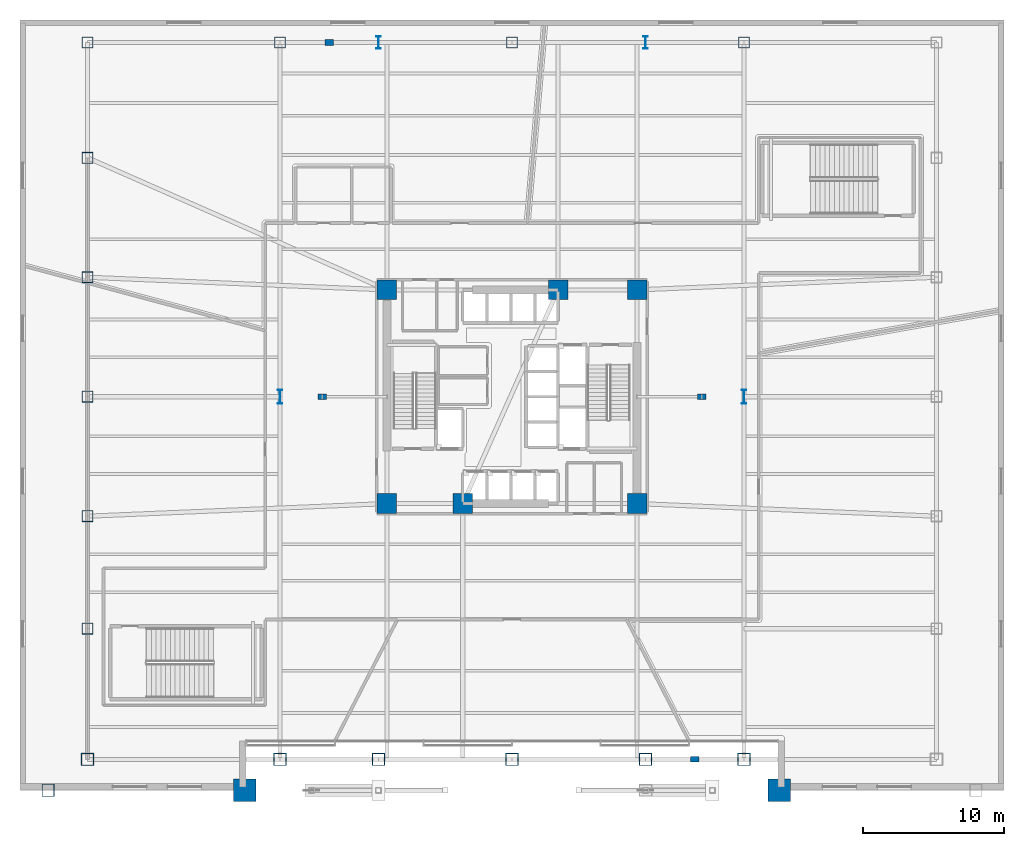
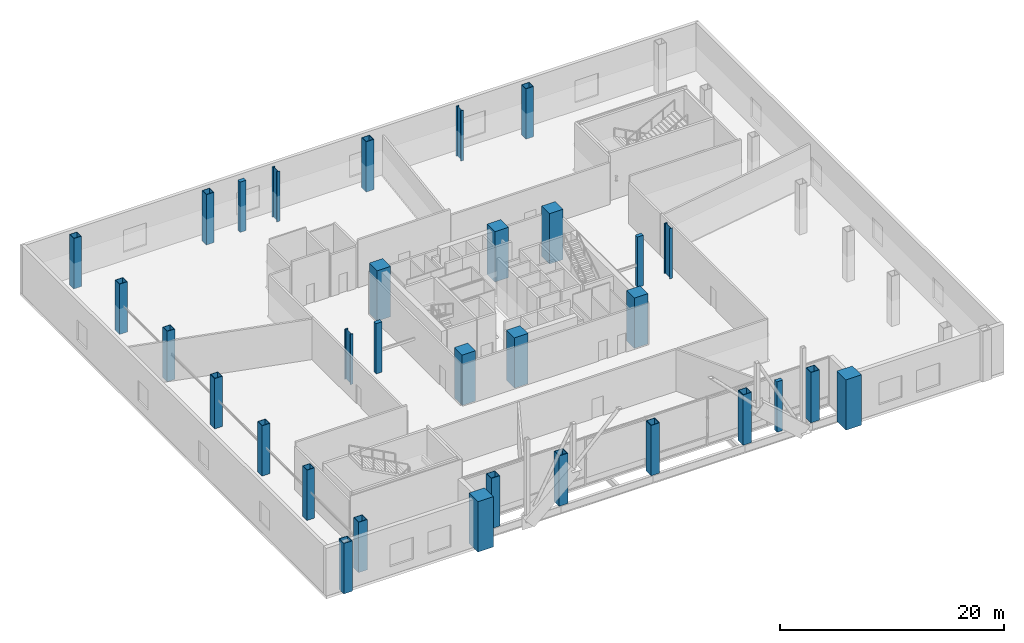
# One storey, part 1 of 16: 32 columns.
"""IFC4 building model written with IfcOpenShell, lengths in metres."""

from ifc_helpers import new_model, si_unit, direction, frame, origin, origin_2d, place, context, subcontext, project, spatial, rectangle, hollow_rectangle, i_section, extrude, material, material_profile, profile_set, type_object, element, save


model = new_model("IFC4")

# Units and contexts
model_context = context("Model", 3, precision=1e-05, world=origin(), true_north=direction((0.0, 1.0)))
body_context = subcontext(model_context, "Body", "Model", "MODEL_VIEW")
ifc_project = project(units=[si_unit("LENGTHUNIT", "METRE"), si_unit("AREAUNIT", "SQUARE_METRE"), si_unit("VOLUMEUNIT", "CUBIC_METRE"), si_unit("PLANEANGLEUNIT", "RADIAN"), si_unit("MASSUNIT", "GRAM", prefix="KILO")], contexts=[model_context])

# Site, building, storey
site_placement = place(None, origin())
site = spatial("IfcSite", under=ifc_project, at=site_placement, CompositionType="ELEMENT")
building_placement = place(site_placement, origin())
building = spatial("IfcBuilding", under=site, at=building_placement, Name="Tharavind Bronze Gate", CompositionType="ELEMENT")
storey_placement = place(building_placement, frame((0.0, 0.0, 5.5)))
storey = spatial("IfcBuildingStorey", under=building, at=storey_placement, Name="L01", CompositionType="ELEMENT", Elevation=5.5)

# Columns
ifc_material_1 = material(Name="Concrete C70/85", Category="concrete")
ifc_material_profile_1 = material_profile(ifc_material_1, rectangle(XDim=1.39990234375, YDim=1.39990234375, at=origin_2d()), Name="RCCOL1400")
ifc_profile_set_1 = profile_set([ifc_material_profile_1], Name="Concrete C70/85")
column_type_1 = type_object("IfcColumnType", Name="MEGA CORE COLUMN 1400", PredefinedType="COLUMN", material=ifc_profile_set_1)
for number, where, z_axis, x_axis, name in (
    (1, (-8.89990234375, -7.60009765625, 0.0), (0.0, 0.0, 1.0), (1.0, 0.0, 0.0), "L01 core mega column MC1"),
    (2, (-3.5, -7.60009765625, 0.0), (0.0, 0.0, 1.0), (1.0, 0.0, 0.0), "L01 core mega column MC2"),
    (3, (8.89990234375, -7.60009765625, 0.0), (0.0, 0.0, 1.0), (1.0, 0.0, 0.0), "L01 core mega column MC3"),
    (4, (8.89990234375, 7.60009765625, 0.0), (0.0, 0.0, 1.0), (1.0, 0.0, 0.0), "L01 core mega column MC4"),
    (5, (3.280029296875, 7.60009765625, 0.0), (0.0, 0.0, 1.0), (1.0, 0.0, 0.0), "L01 core mega column MC5"),
    (6, (-8.89990234375, 7.60009765625, 0.0), (0.0, 0.0, 1.0), (1.0, 0.0, 0.0), "L01 core mega column MC6"),
):
    element("IfcColumn", number, at=place(storey_placement, frame(where, z_axis=z_axis, x_axis=x_axis)), inside=storey, type_object=column_type_1, Name=name, PredefinedType="COLUMN", context=body_context, shape_type="SweptSolid", body=[
        extrude(rectangle(XDim=1.39990234375, YDim=1.39990234375, at=origin_2d()), origin(), (0.0, 0.0, 1.0), 5.5),
    ])
ifc_material_profile_2 = material_profile(ifc_material_1, rectangle(XDim=1.60009765625, YDim=1.60009765625, at=origin_2d()), Name="RCCOL1600")
ifc_profile_set_2 = profile_set([ifc_material_profile_2], Name="Concrete C70/85")
column_type_2 = type_object("IfcColumnType", Name="MEGA CORE COLUMN 1600", PredefinedType="COLUMN", material=ifc_profile_set_2)
for number, where, z_axis, x_axis, name in (
    (7, (-19.0, -28.0, 0.0), (0.0, 0.0, 1.0), (1.0, 0.0, 0.0), "L01 podium column ARCHW"),
    (8, (19.0, -28.0, 0.0), (0.0, 0.0, 1.0), (1.0, 0.0, 0.0), "L01 podium column ARCHE"),
):
    element("IfcColumn", number, at=place(storey_placement, frame(where, z_axis=z_axis, x_axis=x_axis)), inside=storey, type_object=column_type_2, Name=name, PredefinedType="COLUMN", context=body_context, shape_type="SweptSolid", body=[
        extrude(rectangle(XDim=1.60009765625, YDim=1.60009765625, at=origin_2d()), origin(), (0.0, 0.0, 1.0), 5.5),
    ])
ifc_material_2 = material(Name="Steel S460", Category="steel")
ifc_material_profile_3 = material_profile(ifc_material_2, hollow_rectangle(XDim=0.800048828125, YDim=0.800048828125, WallThickness=0.044921875, at=origin_2d()), Name="SHS800X45")
ifc_profile_set_3 = profile_set([ifc_material_profile_3], Name="Steel S460")
column_type_3 = type_object("IfcColumnType", Name="PERIMETER BOX COLUMN SHS800", PredefinedType="COLUMN", material=ifc_profile_set_3)
for number, where, z_axis, x_axis, name in (
    (9, (-30.199951171875, 25.199951171875, 0.0), (0.0, 0.0, 1.0), (1.0, 0.0, 0.0), "L01 podium column PN10"),
    (10, (-16.5, 25.199951171875, 0.0), (0.0, 0.0, 1.0), (1.0, 0.0, 0.0), "L01 podium column PN24"),
    (11, (0.0, 25.199951171875, 0.0), (0.0, 0.0, 1.0), (1.0, 0.0, 0.0), "L01 podium column PN40"),
    (12, (16.5, 25.199951171875, 0.0), (0.0, 0.0, 1.0), (1.0, 0.0, 0.0), "L01 podium column PN56"),
    (13, (-30.199951171875, -16.5, 0.0), (0.0, 0.0, 1.0), (1.0, 0.0, 0.0), "L01 podium column PW14"),
    (14, (-30.199951171875, -8.5, 0.0), (0.0, 0.0, 1.0), (1.0, 0.0, 0.0), "L01 podium column PW22"),
    (15, (-30.199951171875, 0.0, 0.0), (0.0, 0.0, 1.0), (1.0, 0.0, 0.0), "L01 podium column PW30"),
    (16, (-30.199951171875, 8.5, 0.0), (0.0, 0.0, 1.0), (1.0, 0.0, 0.0), "L01 podium column PW38"),
    (17, (-30.199951171875, 17.0, 0.0), (0.0, 0.0, 1.0), (1.0, 0.0, 0.0), "L01 podium column PW47"),
):
    element("IfcColumn", number, at=place(storey_placement, frame(where, z_axis=z_axis, x_axis=x_axis)), inside=storey, type_object=column_type_3, Name=name, PredefinedType="COLUMN", context=body_context, shape_type="SweptSolid", body=[
        extrude(hollow_rectangle(XDim=0.800048828125, YDim=0.800048828125, WallThickness=0.044921875, at=origin_2d()), origin(), (0.0, 0.0, 1.0), 5.5),
    ])
ifc_material_profile_4 = material_profile(ifc_material_2, hollow_rectangle(XDim=0.89990234375, YDim=0.89990234375, WallThickness=0.050048828125, at=origin_2d()), Name="SHS900X50")
ifc_profile_set_4 = profile_set([ifc_material_profile_4], Name="Steel S460")
column_type_4 = type_object("IfcColumnType", Name="PERIMETER BOX COLUMN SHS900", PredefinedType="COLUMN", material=ifc_profile_set_4)
for number, where, z_axis, x_axis, name in (
    (18, (-30.199951171875, -25.800048828125, 0.0), (0.0, 0.0, 1.0), (1.0, 0.0, 0.0), "L01 podium column PS10"),
    (19, (-16.5, -25.800048828125, 0.0), (0.0, 0.0, 1.0), (1.0, 0.0, 0.0), "L01 podium column PS24"),
    (20, (-9.5, -25.800048828125, 0.0), (0.0, 0.0, 1.0), (1.0, 0.0, 0.0), "L01 podium column PS30"),
    (21, (0.0, -25.800048828125, 0.0), (0.0, 0.0, 1.0), (1.0, 0.0, 0.0), "L01 podium column PS40"),
    (22, (9.5, -25.800048828125, 0.0), (0.0, 0.0, 1.0), (1.0, 0.0, 0.0), "L01 podium column PS50"),
    (23, (16.5, -25.800048828125, 0.0), (0.0, 0.0, 1.0), (1.0, 0.0, 0.0), "L01 podium column PS56"),
    (24, (-33.0, -28.0, 0.0), (0.0, 0.0, 1.0), (1.0, 0.0, 0.0), "L01 podium column CRNS1"),
):
    element("IfcColumn", number, at=place(storey_placement, frame(where, z_axis=z_axis, x_axis=x_axis)), inside=storey, type_object=column_type_4, Name=name, PredefinedType="COLUMN", context=body_context, shape_type="SweptSolid", body=[
        extrude(hollow_rectangle(XDim=0.89990234375, YDim=0.89990234375, WallThickness=0.050048828125, at=origin_2d()), origin(), (0.0, 0.0, 1.0), 5.5),
    ])
ifc_material_3 = material(Name="Concrete C60/75", Category="concrete")
ifc_material_profile_5 = material_profile(ifc_material_3, rectangle(XDim=0.60009765625, YDim=0.39990234375, at=origin_2d()), Name="RCPIL600X400")
ifc_profile_set_5 = profile_set([ifc_material_profile_5], Name="Concrete C60/75")
column_type_5 = type_object("IfcColumnType", Name="PILASTER COLUMN 600X400", PredefinedType="PILASTER", material=ifc_profile_set_5)
for number, where, z_axis, x_axis, name in (
    (25, (-13.5, 0.0, 0.0), (0.0, 0.0, 1.0), (1.0, 0.0, 0.0), "L01 structural pilaster PILW"),
    (26, (13.5, 0.0, 0.0), (0.0, 0.0, 1.0), (1.0, 0.0, 0.0), "L01 structural pilaster PILE"),
    (27, (-13.0, 25.199951171875, 0.0), (0.0, 0.0, 1.0), (1.0, 0.0, 0.0), "L01 structural pilaster PILN"),
    (28, (13.0, -25.800048828125, 0.0), (0.0, 0.0, 1.0), (1.0, 0.0, 0.0), "L01 structural pilaster PILS"),
):
    element("IfcColumn", number, at=place(storey_placement, frame(where, z_axis=z_axis, x_axis=x_axis)), inside=storey, type_object=column_type_5, Name=name, PredefinedType="PILASTER", context=body_context, shape_type="SweptSolid", body=[
        extrude(rectangle(XDim=0.60009765625, YDim=0.39990234375, at=origin_2d()), origin(), (0.0, 0.0, 1.0), 5.5),
    ])
ifc_material_profile_6 = material_profile(ifc_material_2, i_section(OverallWidth=0.302001953125, OverallDepth=1.008056640625, WebThickness=0.02099609375, FlangeThickness=0.0400390625, at=origin_2d()), Name="HE1000M")
ifc_profile_set_6 = profile_set([ifc_material_profile_6], Name="Steel S460")
column_type_6 = type_object("IfcColumnType", Name="PODIUM HALL COLUMN HE1000M", PredefinedType="COLUMN", material=ifc_profile_set_6)
for number, where, z_axis, x_axis, name in (
    (29, (-16.5, 0.0, 0.0), (0.0, 0.0, 1.0), (1.0, 0.0, 0.0), "L01 podium column PMW0"),
    (30, (16.5, 0.0, 0.0), (0.0, 0.0, 1.0), (1.0, 0.0, 0.0), "L01 podium column PME0"),
):
    element("IfcColumn", number, at=place(storey_placement, frame(where, z_axis=z_axis, x_axis=x_axis)), inside=storey, type_object=column_type_6, Name=name, PredefinedType="COLUMN", context=body_context, shape_type="SweptSolid", body=[
        extrude(i_section(OverallWidth=0.302001953125, OverallDepth=1.008056640625, WebThickness=0.02099609375, FlangeThickness=0.0400390625, at=origin_2d()), origin(), (0.0, 0.0, 1.0), 5.5),
    ])
ifc_material_profile_7 = material_profile(ifc_material_2, i_section(OverallWidth=0.300048828125, OverallDepth=0.89990234375, WebThickness=0.0185546875, FlangeThickness=0.034912109375, at=origin_2d()), Name="HE900B")
ifc_profile_set_7 = profile_set([ifc_material_profile_7], Name="Steel S460")
column_type_7 = type_object("IfcColumnType", Name="PODIUM HALL COLUMN HE900B", PredefinedType="COLUMN", material=ifc_profile_set_7)
for number, where, z_axis, x_axis, name in (
    (31, (-9.5, 25.199951171875, 0.0), (0.0, 0.0, 1.0), (1.0, 0.0, 0.0), "L01 podium column PN30"),
    (32, (9.5, 25.199951171875, 0.0), (0.0, 0.0, 1.0), (1.0, 0.0, 0.0), "L01 podium column PN50"),
):
    element("IfcColumn", number, at=place(storey_placement, frame(where, z_axis=z_axis, x_axis=x_axis)), inside=storey, type_object=column_type_7, Name=name, PredefinedType="COLUMN", context=body_context, shape_type="SweptSolid", body=[
        extrude(i_section(OverallWidth=0.300048828125, OverallDepth=0.89990234375, WebThickness=0.0185546875, FlangeThickness=0.034912109375, at=origin_2d()), origin(), (0.0, 0.0, 1.0), 5.5),
    ])

save(model, "model.ifc")
